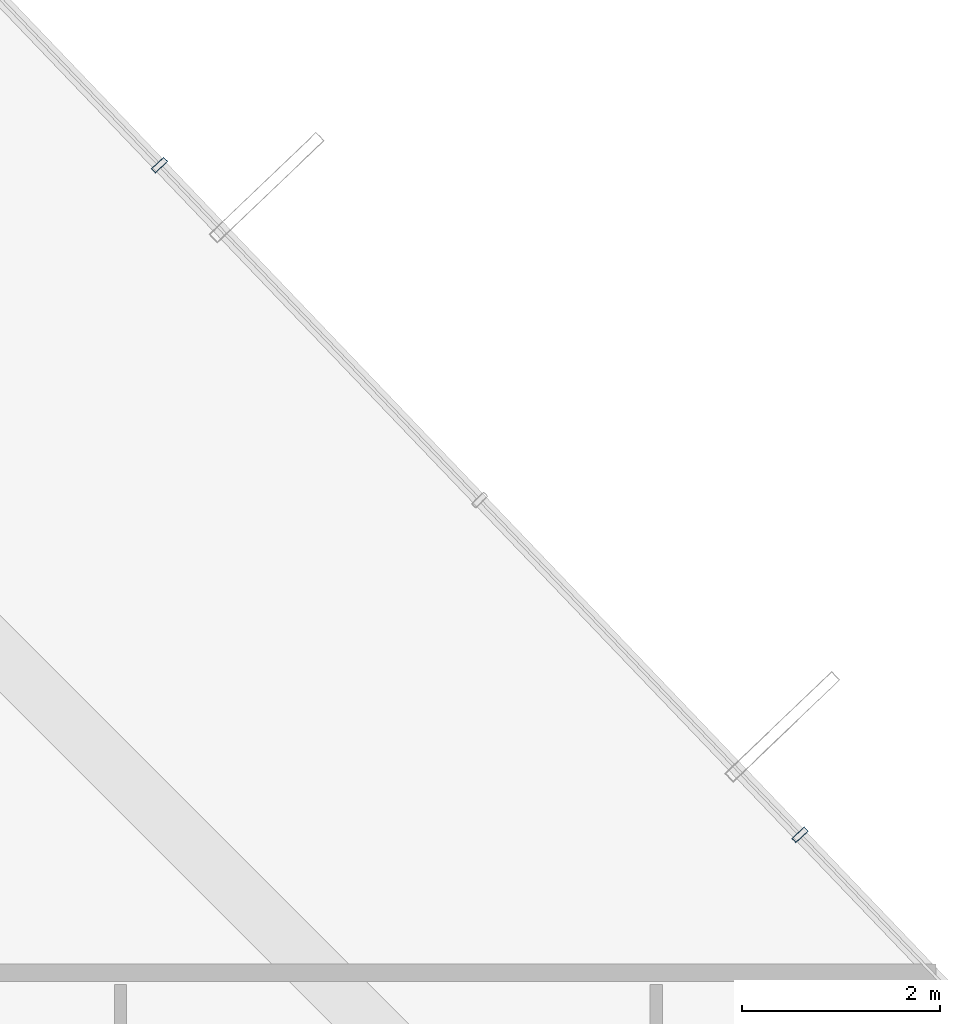
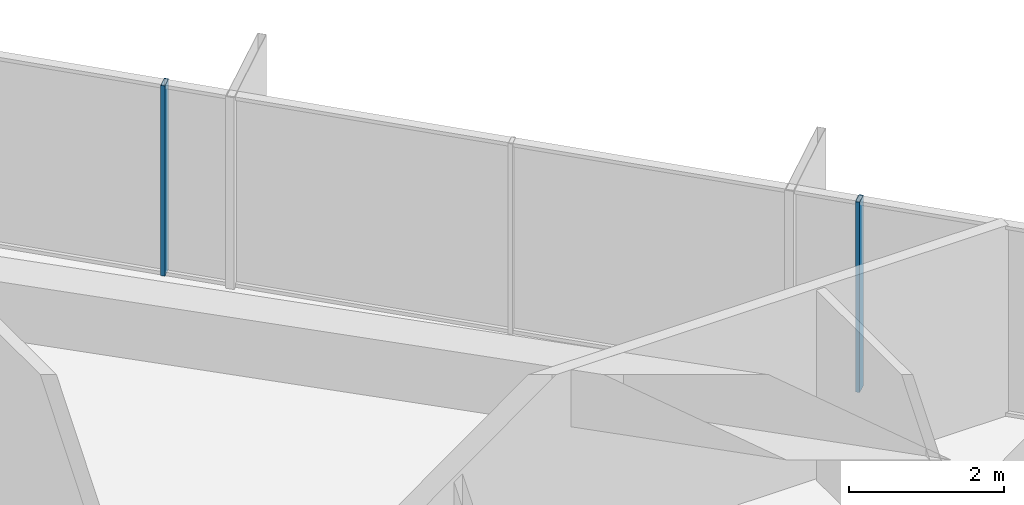
# One storey, part 30 of 37: 2 members, 1 element without a shape of its own.
"""IFC4 building model written with IfcOpenShell, lengths in metres."""

from ifc_helpers import new_model, si_unit, direction, frame, origin, origin_2d, place, context, subcontext, project, spatial, hollow_rectangle, extrude, source, transform, mapped, material, layer, layer_set, material_profile, profile_set, type_object, element, aggregate, save


model = new_model("IFC4")

# Units and contexts
model_context = context("Model", 3, precision=1e-05, world=origin(), true_north=direction((0.0, 1.0)))
body_context = subcontext(model_context, "Body", "Model", "MODEL_VIEW")
ifc_project = project(units=[si_unit("LENGTHUNIT", "METRE"), si_unit("AREAUNIT", "SQUARE_METRE"), si_unit("VOLUMEUNIT", "CUBIC_METRE"), si_unit("PLANEANGLEUNIT", "RADIAN"), si_unit("MASSUNIT", "GRAM", prefix="KILO")], contexts=[model_context])

# Site, building, storey
site_placement = place(None, origin())
site = spatial("IfcSite", under=ifc_project, at=site_placement, CompositionType="ELEMENT")
building_placement = place(site_placement, origin())
building = spatial("IfcBuilding", under=site, at=building_placement, Name="Veraguas Prism Commons", CompositionType="ELEMENT")
storey_placement = place(building_placement, frame((0.0, 0.0, 70.60009765625)))
storey = spatial("IfcBuildingStorey", under=building, at=storey_placement, Name="L19", CompositionType="ELEMENT", Elevation=70.60009765625)

# Curtain wall, members
ifc_material = material(Name="Anodised aluminium EN AW-6063 T6", Category="aluminium")
ifc_layer = layer(ifc_material, 0.169921875, Name="Unitised Flush Curtain Wall Zone 1", Category="aluminium")
ifc_layer_set = layer_set([ifc_layer], Name="Anodised aluminium EN AW-6063 T6")
curtain_wall_type = type_object("IfcCurtainWallType", Name="Unitised Flush Curtain Wall Zone 1", PredefinedType="NOTDEFINED", material=ifc_layer_set)
curtain_wall_placement = place(storey_placement, origin())
curtain_wall = element("IfcCurtainWall", 1, at=curtain_wall_placement, inside=storey, type_object=curtain_wall_type, Name="Tower Facade Curtain Wall L19-F1", PredefinedType="NOTDEFINED")
ifc_material_profile = material_profile(ifc_material, hollow_rectangle(XDim=0.06005859375, YDim=0.169921875, WallThickness=0.00390625, at=origin_2d()), Name="AL60X170X4")
ifc_profile_set = profile_set([ifc_material_profile], Name="Anodised aluminium EN AW-6063 T6")
member_type = type_object("IfcMemberType", Name="Curtain Wall Mullion Lower AL 60x170x4", PredefinedType="MULLION", material=ifc_profile_set)
shared_shape = source(origin(), body_context, "Body", "SweptSolid", [
    extrude(hollow_rectangle(XDim=0.06005859375, YDim=0.169921875, WallThickness=0.00390625, at=origin_2d()), origin(), (0.0, 0.0, 1.0), 3.0),
])
member_1_placement = place(storey_placement, frame((42.249755859375, 34.9892578125, 0.0), z_axis=(0.0, 0.0, 1.0), x_axis=(-0.691135993516, 0.722724732154, 0.0)))
member_1 = element("IfcMember", 2, at=member_1_placement, type_object=member_type, Name="CW-Z1 Mullion 2", PredefinedType="MULLION", context=body_context, shape_type="MappedRepresentation", body=[
    mapped(shared_shape, transform((0.0, 0.0, 0.0), scale=1.0)),
])
member_2_placement = place(storey_placement, frame((35.79345703125, 41.74072265625, 0.0), z_axis=(0.0, 0.0, 1.0), x_axis=(-0.691135993516, 0.722724732154, 0.0)))
member_2 = element("IfcMember", 3, at=member_2_placement, type_object=member_type, Name="CW-Z1 Mullion 4", PredefinedType="MULLION", context=body_context, shape_type="MappedRepresentation", body=[
    mapped(shared_shape, transform((0.0, 0.0, 0.0), scale=1.0)),
])
aggregate(curtain_wall, [member_1, member_2])

save(model, "model.ifc")
